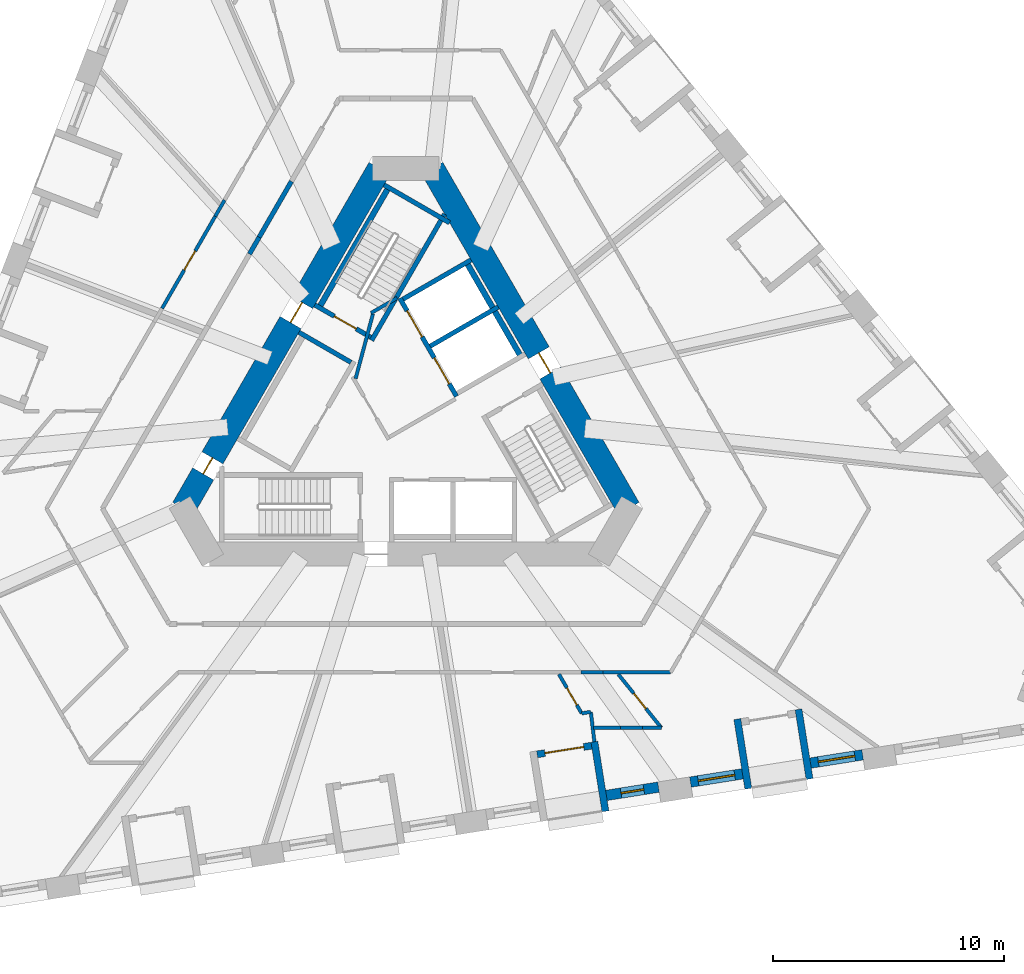
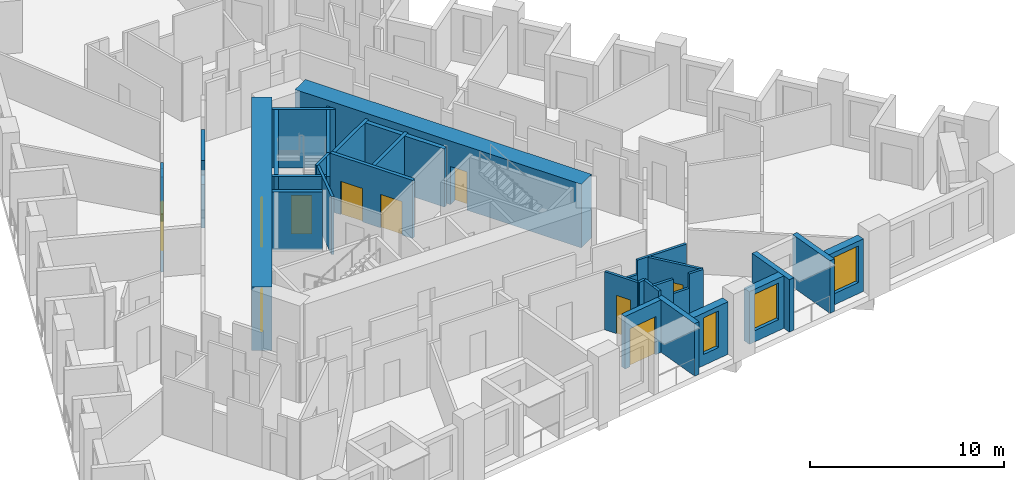
# One storey, part 5 of 13: 33 walls, 10 doors, 3 windows, 13 openings.
"""IFC4 building model written with IfcOpenShell, lengths in metres."""

import ifcopenshell
import ifcopenshell.guid

model = None  # the IFC model being written
_history = None  # IfcOwnerHistory: only IFC2X3 demands one
_inside = {}  # id of a spatial element -> (the spatial element, [elements in it])
_under = {}  # id of a project, library or spatial element -> (it, [spatial elements below it])
_declared = {}  # id of a project -> (the project, [libraries it declares])
_typed = {}  # id of a type object -> (the type object, [elements of that type])
_made_of = {}  # id of a material, layer set ... -> (it, [elements and type objects made of it])


def new_model(schema):
    """Start an empty IFC model of exactly this schema.

    Asked for "IFC4X3", IfcOpenShell would pick the latest addendum, in which some entities
    have other attributes; the version numbers below select the first issue.
    IFC2X3 requires an IfcOwnerHistory on every rooted entity: one is made here for all.
    """
    global model, _history
    if schema == "IFC4X3":
        model = ifcopenshell.file(schema_version=(4, 3, 0, 0))
    else:
        model = ifcopenshell.file(schema=schema)
    _inside.clear()
    _under.clear()
    _declared.clear()
    _typed.clear()
    _made_of.clear()
    _history = None
    if model.schema == "IFC2X3":
        org = make("IfcOrganization", Name="unknown")
        user = make(
            "IfcPersonAndOrganization",
            ThePerson=make("IfcPerson", FamilyName="unknown"),
            TheOrganization=org,
        )
        app = make(
            "IfcApplication",
            ApplicationDeveloper=org,
            Version="unknown",
            ApplicationFullName="unknown",
            ApplicationIdentifier="unknown",
        )
        _history = make(
            "IfcOwnerHistory",
            OwningUser=user,
            OwningApplication=app,
            ChangeAction="ADDED",
            CreationDate=0,
        )
    return model


def make(cls, **values):
    """One entity of the class cls with the attributes given. An attribute that is None is left unset."""
    return model.create_entity(
        cls, **{name: value for name, value in values.items() if value is not None}
    )


def rooted(cls, **values):
    """An entity with a GlobalId (a new one), such as an element, a storey or a relation."""
    return make(cls, GlobalId=ifcopenshell.guid.new(), OwnerHistory=_history, **values)


def si_unit(unit_type, name, prefix=None):
    """IfcSIUnit, for example si_unit("LENGTHUNIT", "METRE", prefix="MILLI")."""
    return make("IfcSIUnit", UnitType=unit_type, Prefix=prefix, Name=name)


def assignment(units):
    """IfcUnitAssignment: the units of a project."""
    return None if units is None else make("IfcUnitAssignment", Units=units)


def point(xyz):
    """IfcCartesianPoint."""
    return None if xyz is None else make("IfcCartesianPoint", Coordinates=xyz)


def direction(xyz):
    """IfcDirection."""
    return None if xyz is None else make("IfcDirection", DirectionRatios=xyz)


def frame(location, z_axis=None, x_axis=None):
    """IfcAxis2Placement3D, a coordinate frame: its origin and axes. An axis left out is left unset."""
    return make(
        "IfcAxis2Placement3D",
        Location=point(location),
        Axis=direction(z_axis),
        RefDirection=direction(x_axis),
    )


def frame_2d(location, x_axis=None):
    """IfcAxis2Placement2D, a coordinate frame in the plane: its origin and x axis."""
    return make(
        "IfcAxis2Placement2D", Location=point(location), RefDirection=direction(x_axis)
    )


def origin():
    """The frame at (0, 0, 0) with its axes left unset."""
    return frame((0.0, 0.0, 0.0))


def place(relative_to, where):
    """IfcLocalPlacement: puts the frame where relative to a parent placement (None: the world)."""
    return make(
        "IfcLocalPlacement", PlacementRelTo=relative_to, RelativePlacement=where
    )


def context(
    kind, dimensions, precision=None, world=None, true_north=None, identifier=None
):
    """IfcGeometricRepresentationContext, for example the 3D "Model" context."""
    return make(
        "IfcGeometricRepresentationContext",
        ContextIdentifier=identifier,
        ContextType=kind,
        CoordinateSpaceDimension=dimensions,
        Precision=precision,
        WorldCoordinateSystem=world,
        TrueNorth=true_north,
    )


def subcontext(parent, identifier, kind, view, scale=None):
    """IfcGeometricRepresentationSubContext, for example "Body" below "Model"."""
    return make(
        "IfcGeometricRepresentationSubContext",
        ContextIdentifier=identifier,
        ContextType=kind,
        ParentContext=parent,
        TargetScale=scale,
        TargetView=view,
    )


def project(units=None, contexts=None):
    """IfcProject with its units and contexts."""
    return rooted(
        "IfcProject",
        Name="project",
        RepresentationContexts=contexts,
        UnitsInContext=assignment(units),
    )


def spatial(cls, under=None, at=None, **own):
    """A site, building, storey or space (cls), placed at a placement, below another one or the project."""
    s = rooted(cls, ObjectPlacement=at, **own)
    if under is not None:
        _under.setdefault(under.id(), (under, []))[1].append(s)
    return s


def profile(cls, at=None, kind="AREA", **sizes):
    """A parametric profile (cls). Its sizes go by their IFC names, for example OverallWidth=200.0."""
    return make(cls, ProfileType=kind, Position=at, **sizes)


def rectangle(**sizes):
    """IfcRectangleProfileDef."""
    return profile("IfcRectangleProfileDef", **sizes)


def extrude(swept, where, along, depth):
    """IfcExtrudedAreaSolid: the profile swept, set in the frame where, extruded along a direction by depth."""
    return make(
        "IfcExtrudedAreaSolid",
        SweptArea=swept,
        Position=where,
        ExtrudedDirection=direction(along),
        Depth=depth,
    )


def shape(context_of_items, identifier, shape_type, items):
    """IfcShapeRepresentation: the items that make up one representation, for example the "Body"."""
    return make(
        "IfcShapeRepresentation",
        ContextOfItems=context_of_items,
        RepresentationIdentifier=identifier,
        RepresentationType=shape_type,
        Items=items,
    )


def material(Name=None, Category=None):
    """IfcMaterial."""
    return make("IfcMaterial", Name=Name, Category=Category)


def layer(
    of_material, thickness, ventilated=None, Name=None, Category=None, Priority=None
):
    """IfcMaterialLayer: one layer of a wall or slab, of a material (None: an air gap)."""
    return make(
        "IfcMaterialLayer",
        Material=of_material,
        LayerThickness=thickness,
        IsVentilated=ventilated,
        Name=Name,
        Category=Category,
        Priority=Priority,
    )


def layer_set(layers, Name=None):
    """IfcMaterialLayerSet."""
    return make("IfcMaterialLayerSet", MaterialLayers=layers, LayerSetName=Name)


def made_of(thing, what):
    """Note that an element or type object is made of a material, layer set ...; save() writes the relation."""
    if what is not None:
        _made_of.setdefault(what.id(), (what, []))[1].append(thing)
    return thing


def type_object(cls, material=None, **own):
    """A type object (cls), such as IfcWallType, which elements share."""
    return made_of(rooted(cls, **own), material)


def element(
    cls,
    number,
    at=None,
    inside=None,
    cuts=None,
    type_object=None,
    material=None,
    context=None,
    identifier="Body",
    shape_type=None,
    held_by="IfcProductDefinitionShape",
    body=None,
    shapes=None,
    **own,
):
    """One element of the class cls, such as IfcWall. Its Tag is "e" and its number.

    at: its placement. inside: the storey or other place that contains it. cuts: it is an
    opening in that element (IfcRelVoidsElement). A single representation is given by context,
    identifier, shape_type and body (its items); several are given by shapes. held_by: the class
    of the entity that holds the representations. save() writes the other relations.
    """
    e = rooted(cls, Tag="e%d" % number, ObjectPlacement=at, **own)
    if body is not None:
        shapes = [shape(context, identifier, shape_type, body)]
    if shapes is not None:
        e.Representation = make(held_by, Representations=shapes)
    if inside is not None:
        _inside.setdefault(inside.id(), (inside, []))[1].append(e)
    if cuts is not None:
        rooted(
            "IfcRelVoidsElement", RelatingBuildingElement=cuts, RelatedOpeningElement=e
        )
    if type_object is not None:
        _typed.setdefault(type_object.id(), (type_object, []))[1].append(e)
    return made_of(e, material)


def fill(opening, filler):
    """IfcRelFillsElement: the door or window that sits in an opening."""
    return rooted(
        "IfcRelFillsElement",
        RelatingOpeningElement=opening,
        RelatedBuildingElement=filler,
    )


def aggregate(whole, parts):
    """IfcRelAggregates: a whole, such as a stair, and the parts it consists of."""
    return rooted("IfcRelAggregates", RelatingObject=whole, RelatedObjects=parts)


def save(model, path):
    """Write the relations noted so far, then the file.

    IfcRelAggregates (storeys below a building ...), IfcRelContainedInSpatialStructure (elements
    in a storey), IfcRelDefinesByType, IfcRelAssociatesMaterial and IfcRelDeclares: one each for
    every whole, place, type object, material and project.
    """
    for whole, parts in _under.values():
        aggregate(whole, parts)
    for where, things in _inside.values():
        rooted(
            "IfcRelContainedInSpatialStructure",
            RelatedElements=things,
            RelatingStructure=where,
        )
    for kind, things in _typed.values():
        rooted("IfcRelDefinesByType", RelatedObjects=things, RelatingType=kind)
    for what, things in _made_of.values():
        rooted("IfcRelAssociatesMaterial", RelatedObjects=things, RelatingMaterial=what)
    for by, libraries in _declared.values():
        rooted("IfcRelDeclares", RelatingContext=by, RelatedDefinitions=libraries)
    model.write(path)


model = new_model("IFC4")

# Units and contexts
model_context = context("Model", 3, precision=1e-05, world=origin(), true_north=direction((0.0, 1.0)))
body_context = subcontext(model_context, "Body", "Model", "MODEL_VIEW")
ifc_project = project(units=[si_unit("LENGTHUNIT", "METRE"), si_unit("AREAUNIT", "SQUARE_METRE"), si_unit("VOLUMEUNIT", "CUBIC_METRE"), si_unit("PLANEANGLEUNIT", "RADIAN"), si_unit("MASSUNIT", "GRAM", prefix="KILO")], contexts=[model_context])

# Site, building, storey
site_placement = place(None, origin())
site = spatial("IfcSite", under=ifc_project, at=site_placement, CompositionType="ELEMENT")
building_placement = place(site_placement, origin())
building = spatial("IfcBuilding", under=site, at=building_placement, Name="Tramontana Tower", CompositionType="ELEMENT")
storey_placement = place(building_placement, frame((0.0, 0.0, 51.199951171875)))
storey = spatial("IfcBuildingStorey", under=building, at=storey_placement, Name="L10", CompositionType="ELEMENT", Elevation=51.199951171875)

# Wall, openings, doors
ifc_material_1 = material(Name="Concrete 70 MPa", Category="concrete")
ifc_layer_1 = layer(ifc_material_1, 1.050048828125)
ifc_layer_set_1 = layer_set([ifc_layer_1], Name="Core wall 1050 70 MPa")
wall_type_1 = type_object("IfcWallType", Name="Core wall 1050 70 MPa", PredefinedType="SHEAR", material=ifc_layer_set_1)
wall_1_placement = place(storey_placement, frame((-1.140380859375, 10.47509765625, 0.0), z_axis=(0.0, 0.0, 1.0), x_axis=(-0.499985955615, -0.866033512162, 0.0)))
wall_1 = element("IfcWall", 1, at=wall_1_placement, inside=storey, type_object=wall_type_1, Name="Core wall C1 L10", PredefinedType="SHEAR", context=body_context, shape_type="SweptSolid", body=[
    extrude(rectangle(XDim=17.0029296875, YDim=1.050048828125, at=frame_2d((8.50146484375, 0.0))), origin(), (0.0, 0.0, 1.0), 4.0),
])
opening_1_placement = place(wall_1_placement, frame((6.70654296875, 0.0, 0.0)))
opening_1 = element("IfcOpeningElement", 2, at=opening_1_placement, cuts=wall_1, Name="Opening RG1", PredefinedType="OPENING", context=body_context, shape_type="SweptSolid", body=[
    extrude(rectangle(XDim=1.0, YDim=2.39990234375, at=frame_2d((0.5, 1.199951171875))), frame((0.0, 0.534912109375, 0.0), z_axis=(0.0, -1.0, 0.0), x_axis=(1.0, 0.0, 0.0)), (0.0, 0.0, 1.0), 1.070068359375),
])
opening_2_placement = place(wall_1_placement, frame((14.472412109375, 0.0, 0.0)))
opening_2 = element("IfcOpeningElement", 3, at=opening_2_placement, cuts=wall_1, Name="Opening PD1", PredefinedType="OPENING", context=body_context, shape_type="SweptSolid", body=[
    extrude(rectangle(XDim=0.800048828125, YDim=2.10009765625, at=frame_2d((0.39990234375, 1.050048828125))), frame((0.0, 0.534912109375, 0.0), z_axis=(0.0, -1.0, 0.0), x_axis=(1.0, 0.0, 0.0)), (0.0, 0.0, 1.0), 1.070068359375),
])
ifc_material_2 = material(Name="Painted steel", Category="steel")
door_type_1 = type_object("IfcDoorType", Name="CUPBOARD DOOR 800", OperationType="SINGLE_SWING_LEFT", PredefinedType="DOOR", material=ifc_material_2)
door_1_placement = place(opening_2_placement, origin())
door_1 = element("IfcDoor", 4, at=door_1_placement, inside=storey, type_object=door_type_1, Name="Door PD1", OperationType="SINGLE_SWING_RIGHT", OverallHeight=2.10009765625, OverallWidth=0.800048828125, PredefinedType="DOOR", context=body_context, shape_type="SweptSolid", body=[
    extrude(rectangle(XDim=0.800048828125, YDim=2.10009765625, at=frame_2d((0.39990234375, 1.050048828125))), frame((0.0, 0.02490234375, 0.0), z_axis=(0.0, -1.0, 0.0), x_axis=(1.0, 0.0, 0.0)), (0.0, 0.0, 1.0), 0.050048828125),
])
fill(opening_2, door_1)
ifc_material_3 = material(Name="Painted steel", Category="steel")
door_type_2 = type_object("IfcDoorType", Name="RING DOOR 1000", OperationType="SINGLE_SWING_LEFT", PredefinedType="DOOR", material=ifc_material_3)
door_2_placement = place(opening_1_placement, origin())
door_2 = element("IfcDoor", 5, at=door_2_placement, inside=storey, type_object=door_type_2, Name="Door RG1", OperationType="SINGLE_SWING_LEFT", OverallHeight=2.39990234375, OverallWidth=1.0, PredefinedType="DOOR", context=body_context, shape_type="SweptSolid", body=[
    extrude(rectangle(XDim=1.0, YDim=2.39990234375, at=frame_2d((0.5, 1.199951171875))), frame((0.0, 0.02490234375, 0.0), z_axis=(0.0, -1.0, 0.0), x_axis=(1.0, 0.0, 0.0)), (0.0, 0.0, 1.0), 0.050048828125),
])
fill(opening_1, door_2)

# Wall, opening, door
wall_2_placement = place(storey_placement, frame((9.6416015625, -4.25, 0.0), z_axis=(0.0, 0.0, 1.0), x_axis=(-0.499985955615, 0.866033512162, 0.0)))
wall_2 = element("IfcWall", 6, at=wall_2_placement, inside=storey, type_object=wall_type_1, Name="Core wall C5 L10", PredefinedType="SHEAR", context=body_context, shape_type="SweptSolid", body=[
    extrude(rectangle(XDim=17.0029296875, YDim=1.050048828125, at=frame_2d((8.50146484375, 0.0))), origin(), (0.0, 0.0, 1.0), 4.0),
])
opening_3_placement = place(wall_2_placement, frame((6.7763671875, 0.0, 0.0)))
opening_3 = element("IfcOpeningElement", 7, at=opening_3_placement, cuts=wall_2, Name="Opening RG3", PredefinedType="OPENING", context=body_context, shape_type="SweptSolid", body=[
    extrude(rectangle(XDim=1.0, YDim=2.39990234375, at=frame_2d((0.5, 1.199951171875))), frame((0.0, 0.534912109375, 0.0), z_axis=(0.0, -1.0, 0.0), x_axis=(1.0, 0.0, 0.0)), (0.0, 0.0, 1.0), 1.070068359375),
])
door_3_placement = place(opening_3_placement, origin())
door_3 = element("IfcDoor", 8, at=door_3_placement, inside=storey, type_object=door_type_2, Name="Door RG3", OperationType="SINGLE_SWING_LEFT", OverallHeight=2.39990234375, OverallWidth=1.0, PredefinedType="DOOR", context=body_context, shape_type="SweptSolid", body=[
    extrude(rectangle(XDim=1.0, YDim=2.39990234375, at=frame_2d((0.5, 1.199951171875))), frame((0.0, 0.02490234375, 0.0), z_axis=(0.0, -1.0, 0.0), x_axis=(1.0, 0.0, 0.0)), (0.0, 0.0, 1.0), 0.050048828125),
])
fill(opening_3, door_3)

# Walls
ifc_material_4 = material(Name="Blockwork", Category="masonry")
ifc_layer_2 = layer(ifc_material_4, 0.199951171875)
ifc_layer_set_2 = layer_set([ifc_layer_2], Name="ENTRY WALL 200")
wall_type_2 = type_object("IfcWallType", Name="ENTRY WALL 200", PredefinedType="SOLIDWALL", material=ifc_layer_set_2)
wall_3_placement = place(storey_placement, frame((-6.7734375, 6.76806640625, 0.0), z_axis=(0.0, 0.0, 1.0), x_axis=(0.500117447933, 0.865957584569, 0.0)))
element("IfcWall", 9, at=wall_3_placement, inside=storey, type_object=wall_type_2, Name="Wall v10-ew4-5", PredefinedType="SOLIDWALL", context=body_context, shape_type="SweptSolid", body=[
    extrude(rectangle(XDim=0.838134765625, YDim=0.199951171875, at=frame_2d((0.4189453125, 0.0))), origin(), (0.0, 0.0, 1.0), 2.75),
])
wall_4_placement = place(storey_placement, frame((-6.354248046875, 7.493896484375, 0.0), z_axis=(0.0, 0.0, 1.0), x_axis=(0.499964529649, 0.866045881633, 0.0)))
element("IfcWall", 10, at=wall_4_placement, inside=storey, type_object=wall_type_2, Name="Wall v10-ew4-6", PredefinedType="SOLIDWALL", context=body_context, shape_type="SweptSolid", body=[
    extrude(rectangle(XDim=2.793701171875, YDim=0.199951171875, at=frame_2d((1.39697265625, 0.0))), origin(), (0.0, 0.0, 1.0), 3.650146484375),
])

# Wall, opening, window
ifc_material_5 = material(Name="Precast concrete 60 MPa", Category="concrete")
ifc_layer_3 = layer(ifc_material_5, 0.449951171875)
ifc_layer_set_3 = layer_set([ifc_layer_3], Name="Precast concrete 60 MPa, 450 mm")
wall_type_3 = type_object("IfcWallType", Name="EW1 Stone-faced precast wall 450", PredefinedType="SOLIDWALL", material=ifc_layer_set_3)
wall_5_placement = place(storey_placement, frame((8.680908203125, -16.67236328125, 0.0), z_axis=(0.0, 0.0, 1.0), x_axis=(0.987685675151, 0.156451293065, 0.0)))
wall_5 = element("IfcWall", 11, at=wall_5_placement, inside=storey, type_object=wall_type_3, Name="External wall L10 face 1 bay 4", PredefinedType="SOLIDWALL", context=body_context, shape_type="SweptSolid", body=[
    extrude(rectangle(XDim=2.282958984375, YDim=0.449951171875, at=frame_2d((1.1416015625, 0.0))), origin(), (0.0, 0.0, 1.0), 3.300048828125),
])
opening_4_placement = place(wall_5_placement, frame((0.6416015625, 0.0, 0.699951171875)))
opening_4 = element("IfcOpeningElement", 12, at=opening_4_placement, cuts=wall_5, Name="Opening N1", PredefinedType="OPENING", context=body_context, shape_type="SweptSolid", body=[
    extrude(rectangle(XDim=1.0, YDim=2.300048828125, at=frame_2d((0.5, 1.14990234375))), frame((0.0, 0.23486328125, 0.0), z_axis=(0.0, -1.0, 0.0), x_axis=(1.0, 0.0, 0.0)), (0.0, 0.0, 1.0), 0.469970703125),
])
ifc_material_6 = material(Name="Aluminum frame, double glazing unit", Category="aluminium")
window_type_1 = type_object("IfcWindowType", Name="N1 Window 1 x 2.3", PartitioningType="SINGLE_PANEL", PredefinedType="WINDOW", material=ifc_material_6)
window_1_placement = place(opening_4_placement, origin())
window_1 = element("IfcWindow", 13, at=window_1_placement, inside=storey, type_object=window_type_1, Name="Window N1 L10 face 1 module 12", OverallHeight=2.300048828125, OverallWidth=1.0, PartitioningType="SINGLE_PANEL", PredefinedType="WINDOW", context=body_context, shape_type="SweptSolid", body=[
    extrude(rectangle(XDim=1.0, YDim=2.300048828125, at=frame_2d((0.5, 1.14990234375))), frame((0.0, 0.030029296875, 0.0), z_axis=(0.0, -1.0, 0.0), x_axis=(1.0, 0.0, 0.0)), (0.0, 0.0, 1.0), 0.06005859375),
])
fill(opening_4, window_1)

wall_6_placement = place(storey_placement, frame((12.318603515625, -16.09619140625, 0.0), z_axis=(0.0, 0.0, 1.0), x_axis=(0.987685675151, 0.156451293065, 0.0)))
wall_6 = element("IfcWall", 14, at=wall_6_placement, inside=storey, type_object=wall_type_3, Name="External wall L10 face 1 bay 5", PredefinedType="SOLIDWALL", context=body_context, shape_type="SweptSolid", body=[
    extrude(rectangle(XDim=2.282958984375, YDim=0.449951171875, at=frame_2d((1.1416015625, 0.0))), origin(), (0.0, 0.0, 1.0), 3.300048828125),
])
opening_5_placement = place(wall_6_placement, frame((0.341552734375, 0.0, 0.699951171875)))
opening_5 = element("IfcOpeningElement", 15, at=opening_5_placement, cuts=wall_6, Name="Opening M1", PredefinedType="OPENING", context=body_context, shape_type="SweptSolid", body=[
    extrude(rectangle(XDim=1.60009765625, YDim=2.300048828125, at=frame_2d((0.800048828125, 1.14990234375))), frame((0.0, 0.23486328125, 0.0), z_axis=(0.0, -1.0, 0.0), x_axis=(1.0, 0.0, 0.0)), (0.0, 0.0, 1.0), 0.469970703125),
])
ifc_material_7 = material(Name="Aluminum frame, double glazing unit", Category="aluminium")
window_type_2 = type_object("IfcWindowType", Name="M1 Window 1.6 x 2.3", PartitioningType="SINGLE_PANEL", PredefinedType="WINDOW", material=ifc_material_7)
window_2_placement = place(opening_5_placement, origin())
window_2 = element("IfcWindow", 16, at=window_2_placement, inside=storey, type_object=window_type_2, Name="Window M1 L10 face 1 module 13", OverallHeight=2.300048828125, OverallWidth=1.60009765625, PartitioningType="SINGLE_PANEL", PredefinedType="WINDOW", context=body_context, shape_type="SweptSolid", body=[
    extrude(rectangle(XDim=1.60009765625, YDim=2.300048828125, at=frame_2d((0.800048828125, 1.14990234375))), frame((0.0, 0.030029296875, 0.0), z_axis=(0.0, -1.0, 0.0), x_axis=(1.0, 0.0, 0.0)), (0.0, 0.0, 1.0), 0.06005859375),
])
fill(opening_5, window_2)

wall_7_placement = place(storey_placement, frame((17.519775390625, -15.2724609375, 0.0), z_axis=(0.0, 0.0, 1.0), x_axis=(0.987685675151, 0.156451293065, 0.0)))
wall_7 = element("IfcWall", 17, at=wall_7_placement, inside=storey, type_object=wall_type_3, Name="External wall L10 face 1 bay 5", PredefinedType="SOLIDWALL", context=body_context, shape_type="SweptSolid", body=[
    extrude(rectangle(XDim=2.282958984375, YDim=0.449951171875, at=frame_2d((1.1416015625, 0.0))), origin(), (0.0, 0.0, 1.0), 3.300048828125),
])
opening_6_placement = place(wall_7_placement, frame((0.341552734375, 0.0, 0.699951171875)))
opening_6 = element("IfcOpeningElement", 18, at=opening_6_placement, cuts=wall_7, Name="Opening M1", PredefinedType="OPENING", context=body_context, shape_type="SweptSolid", body=[
    extrude(rectangle(XDim=1.60009765625, YDim=2.300048828125, at=frame_2d((0.800048828125, 1.14990234375))), frame((0.0, 0.23486328125, 0.0), z_axis=(0.0, -1.0, 0.0), x_axis=(1.0, 0.0, 0.0)), (0.0, 0.0, 1.0), 0.469970703125),
])
window_3_placement = place(opening_6_placement, origin())
window_3 = element("IfcWindow", 19, at=window_3_placement, inside=storey, type_object=window_type_2, Name="Window M1 L10 face 1 module 15", OverallHeight=2.300048828125, OverallWidth=1.60009765625, PartitioningType="SINGLE_PANEL", PredefinedType="WINDOW", context=body_context, shape_type="SweptSolid", body=[
    extrude(rectangle(XDim=1.60009765625, YDim=2.300048828125, at=frame_2d((0.800048828125, 1.14990234375))), frame((0.0, 0.030029296875, 0.0), z_axis=(0.0, -1.0, 0.0), x_axis=(1.0, 0.0, 0.0)), (0.0, 0.0, 1.0), 0.06005859375),
])
fill(opening_6, window_3)

# Wall, opening, door
ifc_material_8 = material(Name="Precast concrete 60 MPa", Category="concrete")
ifc_layer_4 = layer(ifc_material_8, 0.300048828125)
ifc_layer_set_4 = layer_set([ifc_layer_4], Name="LW1 Stone-faced loggia wall 300")
wall_type_4 = type_object("IfcWallType", Name="LW1 Stone-faced loggia wall 300", PredefinedType="SOLIDWALL", material=ifc_layer_set_4)
wall_8_placement = place(storey_placement, frame((5.682861328125, -14.894287109375, 0.0), z_axis=(0.0, 0.0, 1.0), x_axis=(0.987688093492, 0.15643602518, 0.0)))
wall_8 = element("IfcWall", 20, at=wall_8_placement, inside=storey, type_object=wall_type_4, Name="Loggia wall L10 G1S1.10", PredefinedType="SOLIDWALL", context=body_context, shape_type="SweptSolid", body=[
    extrude(rectangle(XDim=2.383056640625, YDim=0.300048828125, at=frame_2d((1.19140625, 0.0))), origin(), (0.0, 0.0, 1.0), 3.300048828125),
])
opening_7_placement = place(wall_8_placement, frame((0.341552734375, 0.0, 0.0)))
opening_7 = element("IfcOpeningElement", 21, at=opening_7_placement, cuts=wall_8, Name="Opening BD-1S1-10", PredefinedType="OPENING", context=body_context, shape_type="SweptSolid", body=[
    extrude(rectangle(XDim=1.699951171875, YDim=2.39990234375, at=frame_2d((0.85009765625, 1.199951171875))), frame((0.0, 0.159912109375, 0.0), z_axis=(0.0, -1.0, 0.0), x_axis=(1.0, 0.0, 0.0)), (0.0, 0.0, 1.0), 0.320068359375),
])
ifc_material_9 = material(Name="Aluminum frame, double glazing unit", Category="aluminium")
door_type_3 = type_object("IfcDoorType", Name="BD1 Sliding door 1.7 x 2.4", OperationType="SLIDING_TO_LEFT", PredefinedType="DOOR", material=ifc_material_9)
door_4_placement = place(opening_7_placement, origin())
door_4 = element("IfcDoor", 22, at=door_4_placement, inside=storey, type_object=door_type_3, Name="Loggia door L10 G1S1.10", OperationType="SLIDING_TO_LEFT", OverallHeight=2.39990234375, OverallWidth=1.699951171875, PredefinedType="DOOR", context=body_context, shape_type="SweptSolid", body=[
    extrude(rectangle(XDim=1.699951171875, YDim=2.39990234375, at=frame_2d((0.85009765625, 1.199951171875))), frame((0.0, 0.02490234375, 0.0), z_axis=(0.0, -1.0, 0.0), x_axis=(1.0, 0.0, 0.0)), (0.0, 0.0, 1.0), 0.050048828125),
])
fill(opening_7, door_4)

# Walls
for number, where, z_axis, x_axis, name in (
    (23, (8.638427734375, -17.3623046875, 0.0), (0.0, 0.0, 1.0), (-0.156410600741, 0.987692120033, 0.0), "Loggia return L10 G1S1.10b"),
    (24, (14.8271484375, -16.38232421875, 0.0), (0.0, 0.0, 1.0), (-0.156410600741, 0.987692120033, 0.0), "Loggia return L10 G1S1.13a"),
    (25, (17.47705078125, -15.96240234375, 0.0), (0.0, 0.0, 1.0), (-0.156410600741, 0.987692120033, 0.0), "Loggia return L10 G1S1.13b"),
):
    element("IfcWall", number, at=place(storey_placement, frame(where, z_axis=z_axis, x_axis=x_axis)), inside=storey, type_object=wall_type_4, Name=name, PredefinedType="SOLIDWALL", context=body_context, shape_type="SweptSolid", body=[
        extrude(rectangle(XDim=3.050048828125, YDim=0.300048828125, at=frame_2d((1.52490234375, 0.0))), origin(), (0.0, 0.0, 1.0), 3.300048828125),
    ])
ifc_material_10 = material(Name="Gypsum board partition")
ifc_layer_5 = layer(ifc_material_10, 0.14990234375)
ifc_layer_set_5 = layer_set([ifc_layer_5], Name="PARTITION 150")
wall_type_5 = type_object("IfcWallType", Name="PARTITION 150", PredefinedType="PARTITIONING", material=ifc_layer_set_5)
wall_9_placement = place(storey_placement, frame((-2.177978515625, 1.372314453125, 0.0), z_axis=(0.0, 0.0, 1.0), x_axis=(0.258808958833, 0.96592852884, 0.0)))
element("IfcWall", 26, at=wall_9_placement, inside=storey, type_object=wall_type_5, Name="Wall ff-diag", PredefinedType="PARTITIONING", context=body_context, shape_type="SweptSolid", body=[
    extrude(rectangle(XDim=2.902587890625, YDim=0.14990234375, at=frame_2d((1.451171875, 0.0))), origin(), (0.0, 0.0, 1.0), 3.650146484375),
])
wall_10_placement = place(storey_placement, frame((-1.509765625, 4.21484375, 0.0), z_axis=(0.0, 0.0, 1.0), x_axis=(0.866085525409, 0.49989585183, 0.0)))
element("IfcWall", 27, at=wall_10_placement, inside=storey, type_object=wall_type_5, Name="Wall ff-end1", PredefinedType="PARTITIONING", context=body_context, shape_type="SweptSolid", body=[
    extrude(rectangle(XDim=1.300048828125, YDim=0.14990234375, at=frame_2d((0.64990234375, 0.0))), origin(), (0.0, 0.0, 1.0), 3.650146484375),
])
wall_11_placement = place(storey_placement, frame((-7.85107421875, 9.1015625, 0.0), z_axis=(0.0, 0.0, 1.0), x_axis=(-0.500052144805, -0.865995295874, 0.0)))
element("IfcWall", 28, at=wall_11_placement, inside=storey, type_object=wall_type_5, Name="Wall v10-pw16-3", PredefinedType="PARTITIONING", context=body_context, shape_type="SweptSolid", body=[
    extrude(rectangle(XDim=0.81201171875, YDim=0.14990234375, at=frame_2d((0.406005859375, 0.0))), origin(), (0.0, 0.0, 1.0), 2.75),
])

# Wall, opening, door
wall_12_placement = place(storey_placement, frame((-10.557373046875, 4.4140625, 0.0), z_axis=(0.0, 0.0, 1.0), x_axis=(0.499985815721, 0.866033592927, 0.0)))
wall_12 = element("IfcWall", 29, at=wall_12_placement, inside=storey, type_object=wall_type_5, Name="Wall v10-pw16-4", PredefinedType="PARTITIONING", context=body_context, shape_type="SweptSolid", body=[
    extrude(rectangle(XDim=4.600830078125, YDim=0.14990234375, at=frame_2d((2.30029296875, 0.0))), origin(), (0.0, 0.0, 1.0), 3.650146484375),
])
opening_8_placement = place(wall_12_placement, frame((1.92236328125, 0.0, 0.0)))
opening_8 = element("IfcOpeningElement", 30, at=opening_8_placement, cuts=wall_12, Name="Opening B1A-07", PredefinedType="OPENING", context=body_context, shape_type="SweptSolid", body=[
    extrude(rectangle(XDim=0.949951171875, YDim=2.39990234375, at=frame_2d((0.47509765625, 1.199951171875))), frame((0.0, 0.0849609375, 0.0), z_axis=(0.0, -1.0, 0.0), x_axis=(1.0, 0.0, 0.0)), (0.0, 0.0, 1.0), 0.169921875),
])
ifc_material_11 = material(Name="Painted timber", Category="wood")
door_type_4 = type_object("IfcDoorType", Name="DOOR ROOM 950", OperationType="SINGLE_SWING_LEFT", PredefinedType="DOOR", material=ifc_material_11)
door_5_placement = place(opening_8_placement, origin())
door_5 = element("IfcDoor", 31, at=door_5_placement, inside=storey, type_object=door_type_4, Name="Door B1A-07", OperationType="SINGLE_SWING_LEFT", OverallHeight=2.39990234375, OverallWidth=0.949951171875, PredefinedType="DOOR", context=body_context, shape_type="SweptSolid", body=[
    extrude(rectangle(XDim=0.949951171875, YDim=2.39990234375, at=frame_2d((0.47509765625, 1.199951171875))), frame((0.0, 0.02490234375, 0.0), z_axis=(0.0, -1.0, 0.0), x_axis=(1.0, 0.0, 0.0)), (0.0, 0.0, 1.0), 0.050048828125),
])
fill(opening_8, door_5)

wall_13_placement = place(storey_placement, frame((6.62646484375, -11.425048828125, 0.0), z_axis=(0.0, 0.0, 1.0), x_axis=(0.501747909074, -0.86501389338, 0.0)))
wall_13 = element("IfcWall", 32, at=wall_13_placement, inside=storey, type_object=wall_type_5, Name="Wall v10-pw28", PredefinedType="PARTITIONING", context=body_context, shape_type="SweptSolid", body=[
    extrude(rectangle(XDim=1.96044921875, YDim=0.14990234375, at=frame_2d((0.980224609375, 0.0))), origin(), (0.0, 0.0, 1.0), 3.650146484375),
])
opening_9_placement = place(wall_13_placement, frame((0.6904296875, 0.0, 0.0)))
opening_9 = element("IfcOpeningElement", 33, at=opening_9_placement, cuts=wall_13, Name="Opening B1A-26", PredefinedType="OPENING", context=body_context, shape_type="SweptSolid", body=[
    extrude(rectangle(XDim=0.85009765625, YDim=2.39990234375, at=frame_2d((0.425048828125, 1.199951171875))), frame((0.0, 0.0849609375, 0.0), z_axis=(0.0, -1.0, 0.0), x_axis=(1.0, 0.0, 0.0)), (0.0, 0.0, 1.0), 0.169921875),
])
ifc_material_12 = material(Name="Painted timber", Category="wood")
door_type_5 = type_object("IfcDoorType", Name="DOOR BATH 850", OperationType="SINGLE_SWING_LEFT", PredefinedType="DOOR", material=ifc_material_12)
door_6_placement = place(opening_9_placement, origin())
door_6 = element("IfcDoor", 34, at=door_6_placement, inside=storey, type_object=door_type_5, Name="Door B1A-26", OperationType="SINGLE_SWING_RIGHT", OverallHeight=2.39990234375, OverallWidth=0.85009765625, PredefinedType="DOOR", context=body_context, shape_type="SweptSolid", body=[
    extrude(rectangle(XDim=0.85009765625, YDim=2.39990234375, at=frame_2d((0.425048828125, 1.199951171875))), frame((0.0, 0.02490234375, 0.0), z_axis=(0.0, -1.0, 0.0), x_axis=(1.0, 0.0, 0.0)), (0.0, 0.0, 1.0), 0.050048828125),
])
fill(opening_9, door_6)

# Walls
wall_14_placement = place(storey_placement, frame((8.00537109375, -13.058349609375, 0.0), z_axis=(0.0, 0.0, 1.0), x_axis=(-0.987713419374, -0.156276041632, 0.0)))
element("IfcWall", 35, at=wall_14_placement, inside=storey, type_object=wall_type_5, Name="Wall v10-pw29", PredefinedType="PARTITIONING", context=body_context, shape_type="SweptSolid", body=[
    extrude(rectangle(XDim=0.39990234375, YDim=0.14990234375, at=frame_2d((0.199951171875, 0.0))), origin(), (0.0, 0.0, 1.0), 3.650146484375),
])
wall_15_placement = place(storey_placement, frame((8.161376953125, -14.349853515625, 0.0), z_axis=(0.0, 0.0, 1.0), x_axis=(-0.118226127794, 0.992986698152, 0.0)))
element("IfcWall", 36, at=wall_15_placement, inside=storey, type_object=wall_type_5, Name="Wall v10-pw30", PredefinedType="PARTITIONING", context=body_context, shape_type="SweptSolid", body=[
    extrude(rectangle(XDim=1.298828125, YDim=0.14990234375, at=frame_2d((0.6494140625, 0.0))), origin(), (0.0, 0.0, 1.0), 3.650146484375),
])

# Wall, opening, door
wall_16_placement = place(storey_placement, frame((11.0625, -13.7451171875, 0.0), z_axis=(0.0, 0.0, 1.0), x_axis=(-0.626992412451, 0.779025362057, 0.0)))
wall_16 = element("IfcWall", 37, at=wall_16_placement, inside=storey, type_object=wall_type_5, Name="Wall v10-pw32", PredefinedType="PARTITIONING", context=body_context, shape_type="SweptSolid", body=[
    extrude(rectangle(XDim=2.977294921875, YDim=0.14990234375, at=frame_2d((1.48876953125, 0.0))), origin(), (0.0, 0.0, 1.0), 3.650146484375),
])
opening_10_placement = place(wall_16_placement, frame((1.0634765625, 0.0, 0.0)))
opening_10 = element("IfcOpeningElement", 38, at=opening_10_placement, cuts=wall_16, Name="Opening B1A-25", PredefinedType="OPENING", context=body_context, shape_type="SweptSolid", body=[
    extrude(rectangle(XDim=0.85009765625, YDim=2.39990234375, at=frame_2d((0.425048828125, 1.199951171875))), frame((0.0, 0.0849609375, 0.0), z_axis=(0.0, -1.0, 0.0), x_axis=(1.0, 0.0, 0.0)), (0.0, 0.0, 1.0), 0.169921875),
])
door_7_placement = place(opening_10_placement, origin())
door_7 = element("IfcDoor", 39, at=door_7_placement, inside=storey, type_object=door_type_5, Name="Door B1A-25", OperationType="SINGLE_SWING_LEFT", OverallHeight=2.39990234375, OverallWidth=0.85009765625, PredefinedType="DOOR", context=body_context, shape_type="SweptSolid", body=[
    extrude(rectangle(XDim=0.85009765625, YDim=2.39990234375, at=frame_2d((0.425048828125, 1.199951171875))), frame((0.0, 0.02490234375, 0.0), z_axis=(0.0, -1.0, 0.0), x_axis=(1.0, 0.0, 0.0)), (0.0, 0.0, 1.0), 0.050048828125),
])
fill(opening_10, door_7)

# Walls
wall_17_placement = place(storey_placement, frame((11.060546875, -13.75, 0.0), z_axis=(0.0, 0.0, 1.0), x_axis=(-1.0, 0.0, 0.0)))
element("IfcWall", 40, at=wall_17_placement, inside=storey, type_object=wall_type_5, Name="Wall v10-pw34-0", PredefinedType="PARTITIONING", context=body_context, shape_type="SweptSolid", body=[
    extrude(rectangle(XDim=0.823974609375, YDim=0.14990234375, at=frame_2d((0.412109375, 0.0))), origin(), (0.0, 0.0, 1.0), 3.650146484375),
])
wall_18_placement = place(storey_placement, frame((10.236572265625, -13.75, 0.0), z_axis=(0.0, 0.0, 1.0), x_axis=(-1.0, 0.0, 0.0)))
element("IfcWall", 41, at=wall_18_placement, inside=storey, type_object=wall_type_5, Name="Wall v10-pw34-1", PredefinedType="PARTITIONING", context=body_context, shape_type="SweptSolid", body=[
    extrude(rectangle(XDim=0.950439453125, YDim=0.14990234375, at=frame_2d((0.47509765625, 0.0))), origin(), (0.0, 0.0, 1.0), 2.75),
])
wall_19_placement = place(storey_placement, frame((9.2861328125, -13.75, 0.0), z_axis=(0.0, 0.0, 1.0), x_axis=(-1.0, 0.0, 0.0)))
element("IfcWall", 42, at=wall_19_placement, inside=storey, type_object=wall_type_5, Name="Wall v10-pw34-2", PredefinedType="PARTITIONING", context=body_context, shape_type="SweptSolid", body=[
    extrude(rectangle(XDim=1.1689453125, YDim=0.14990234375, at=frame_2d((0.58447265625, 0.0))), origin(), (0.0, 0.0, 1.0), 3.650146484375),
])
wall_20_placement = place(storey_placement, frame((11.46044921875, -11.35009765625, 0.0), z_axis=(0.0, 0.0, 1.0), x_axis=(-1.0, 0.0, 0.0)))
element("IfcWall", 43, at=wall_20_placement, inside=storey, type_object=wall_type_5, Name="Wall v10-pw35-0", PredefinedType="PARTITIONING", context=body_context, shape_type="SweptSolid", body=[
    extrude(rectangle(XDim=2.927734375, YDim=0.14990234375, at=frame_2d((1.4638671875, 0.0))), origin(), (0.0, 0.0, 1.0), 3.650146484375),
])
wall_21_placement = place(storey_placement, frame((8.53271484375, -11.35009765625, 0.0), z_axis=(0.0, 0.0, 1.0), x_axis=(-1.0, 0.0, 0.0)))
element("IfcWall", 44, at=wall_21_placement, inside=storey, type_object=wall_type_5, Name="Wall v10-pw35-1", PredefinedType="PARTITIONING", context=body_context, shape_type="SweptSolid", body=[
    extrude(rectangle(XDim=0.950439453125, YDim=0.14990234375, at=frame_2d((0.47509765625, 0.0))), origin(), (0.0, 0.0, 1.0), 2.75),
])
ifc_material_13 = material(Name="Concrete 70 MPa", Category="concrete")
ifc_layer_6 = layer(ifc_material_13, 0.25)
ifc_layer_set_6 = layer_set([ifc_layer_6], Name="Concrete 70 MPa, 250 mm")
wall_type_6 = type_object("IfcWallType", Name="RC SHAFT BACK WALL 250", PredefinedType="SOLIDWALL", material=ifc_layer_set_6)
wall_22_placement = place(storey_placement, frame((-0.701416015625, 9.73486328125, 0.0), z_axis=(0.0, 0.0, 1.0), x_axis=(-0.500026960575, -0.86600983753, 0.0)))
element("IfcWall", 45, at=wall_22_placement, inside=storey, type_object=wall_type_6, Name="Wall st1-back", PredefinedType="SOLIDWALL", context=body_context, shape_type="SweptSolid", body=[
    extrude(rectangle(XDim=6.199951171875, YDim=0.25, at=frame_2d((3.10009765625, 0.0))), origin(), (0.0, 0.0, 1.0), 3.650146484375),
])
wall_23_placement = place(storey_placement, frame((5.0263671875, 2.243896484375, 0.0), z_axis=(0.0, 0.0, 1.0), x_axis=(-0.500002801628, 0.866023786258, 0.0)))
element("IfcWall", 46, at=wall_23_placement, inside=storey, type_object=wall_type_6, Name="Wall row2-back", PredefinedType="SOLIDWALL", context=body_context, shape_type="SweptSolid", body=[
    extrude(rectangle(XDim=4.89990234375, YDim=0.25, at=frame_2d((2.449951171875, 0.0))), origin(), (0.0, 0.0, 1.0), 3.650146484375),
])
ifc_material_14 = material(Name="Concrete 70 MPa", Category="concrete")
ifc_layer_7 = layer(ifc_material_14, 0.199951171875)
ifc_layer_set_7 = layer_set([ifc_layer_7], Name="Concrete 70 MPa, 200 mm")
wall_type_7 = type_object("IfcWallType", Name="RC STAIR AND SHAFT WALL 200", PredefinedType="SOLIDWALL", material=ifc_layer_set_7)
wall_24_placement = place(storey_placement, frame((1.67431640625, 8.5, 0.0), z_axis=(0.0, 0.0, 1.0), x_axis=(-0.499995607161, -0.866027939976, 0.0)))
element("IfcWall", 47, at=wall_24_placement, inside=storey, type_object=wall_type_7, Name="Wall st1-front", PredefinedType="SOLIDWALL", context=body_context, shape_type="SweptSolid", body=[
    extrude(rectangle(XDim=6.318359375, YDim=0.199951171875, at=frame_2d((3.1591796875, 0.0))), origin(), (0.0, 0.0, 1.0), 3.650146484375),
])
wall_25_placement = place(storey_placement, frame((1.892578125, 8.121826171875, 0.0), z_axis=(0.0, 0.0, 1.0), x_axis=(-0.866006986733, 0.500031897912, 0.0)))
element("IfcWall", 48, at=wall_25_placement, inside=storey, type_object=wall_type_7, Name="Wall st1-far", PredefinedType="SOLIDWALL", context=body_context, shape_type="SweptSolid", body=[
    extrude(rectangle(XDim=3.278076171875, YDim=0.199951171875, at=frame_2d((1.63916015625, 0.0))), origin(), (0.0, 0.0, 1.0), 3.650146484375),
])

# Wall, opening, door
wall_26_placement = place(storey_placement, frame((-1.521484375, 3.164794921875, 0.0), z_axis=(0.0, 0.0, 1.0), x_axis=(-0.866034573852, 0.49998411664, 0.0)))
wall_26 = element("IfcWall", 49, at=wall_26_placement, inside=storey, type_object=wall_type_7, Name="Wall st1-near", PredefinedType="SOLIDWALL", context=body_context, shape_type="SweptSolid", body=[
    extrude(rectangle(XDim=2.7998046875, YDim=0.199951171875, at=frame_2d((1.39990234375, 0.0))), origin(), (0.0, 0.0, 1.0), 3.650146484375),
])
opening_11_placement = place(wall_26_placement, frame((0.72509765625, 0.0, 0.0)))
opening_11 = element("IfcOpeningElement", 50, at=opening_11_placement, cuts=wall_26, Name="Opening SD1", PredefinedType="OPENING", context=body_context, shape_type="SweptSolid", body=[
    extrude(rectangle(XDim=1.10009765625, YDim=2.39990234375, at=frame_2d((0.550048828125, 1.199951171875))), frame((0.0, 0.10986328125, 0.0), z_axis=(0.0, -1.0, 0.0), x_axis=(1.0, 0.0, 0.0)), (0.0, 0.0, 1.0), 0.219970703125),
])
ifc_material_15 = material(Name="Painted steel", Category="steel")
door_type_6 = type_object("IfcDoorType", Name="STAIR DOOR 1100", OperationType="SINGLE_SWING_LEFT", PredefinedType="DOOR", material=ifc_material_15)
door_8_placement = place(opening_11_placement, origin())
door_8 = element("IfcDoor", 51, at=door_8_placement, inside=storey, type_object=door_type_6, Name="Door SD1", OperationType="SINGLE_SWING_RIGHT", OverallHeight=2.39990234375, OverallWidth=1.10009765625, PredefinedType="DOOR", context=body_context, shape_type="SweptSolid", body=[
    extrude(rectangle(XDim=1.10009765625, YDim=2.39990234375, at=frame_2d((0.550048828125, 1.199951171875))), frame((0.0, 0.02490234375, 0.0), z_axis=(0.0, -1.0, 0.0), x_axis=(1.0, 0.0, 0.0)), (0.0, 0.0, 1.0), 0.050048828125),
])
fill(opening_11, door_8)

# Wall
wall_27_placement = place(storey_placement, frame((-2.379638671875, 2.078369140625, 0.0), z_axis=(0.0, 0.0, 1.0), x_axis=(-0.866062058628, 0.499936506574, 0.0)))
element("IfcWall", 52, at=wall_27_placement, inside=storey, type_object=wall_type_7, Name="Wall row0-side0", PredefinedType="SOLIDWALL", context=body_context, shape_type="SweptSolid", body=[
    extrude(rectangle(XDim=2.599853515625, YDim=0.199951171875, at=frame_2d((1.2998046875, 0.0))), origin(), (0.0, 0.0, 1.0), 3.650146484375),
])

# Wall, openings, doors
wall_28_placement = place(storey_placement, frame((2.190185546875, 0.6064453125, 0.0), z_axis=(0.0, 0.0, 1.0), x_axis=(-0.500002801628, 0.866023786258, 0.0)))
wall_28 = element("IfcWall", 53, at=wall_28_placement, inside=storey, type_object=wall_type_7, Name="Wall row2-front", PredefinedType="SOLIDWALL", context=body_context, shape_type="SweptSolid", body=[
    extrude(rectangle(XDim=4.89990234375, YDim=0.199951171875, at=frame_2d((2.449951171875, 0.0))), origin(), (0.0, 0.0, 1.0), 3.650146484375),
])
opening_12_placement = place(wall_28_placement, frame((0.625, 0.0, 0.0)))
opening_12 = element("IfcOpeningElement", 54, at=opening_12_placement, cuts=wall_28, Name="Opening LD-F1", PredefinedType="OPENING", context=body_context, shape_type="SweptSolid", body=[
    extrude(rectangle(XDim=1.300048828125, YDim=2.10009765625, at=frame_2d((0.64990234375, 1.050048828125))), frame((0.0, 0.10986328125, 0.0), z_axis=(0.0, -1.0, 0.0), x_axis=(1.0, 0.0, 0.0)), (0.0, 0.0, 1.0), 0.219970703125),
])
opening_13_placement = place(wall_28_placement, frame((2.97509765625, 0.0, 0.0)))
opening_13 = element("IfcOpeningElement", 55, at=opening_13_placement, cuts=wall_28, Name="Opening LD-F2", PredefinedType="OPENING", context=body_context, shape_type="SweptSolid", body=[
    extrude(rectangle(XDim=1.300048828125, YDim=2.10009765625, at=frame_2d((0.64990234375, 1.050048828125))), frame((0.0, 0.10986328125, 0.0), z_axis=(0.0, -1.0, 0.0), x_axis=(1.0, 0.0, 0.0)), (0.0, 0.0, 1.0), 0.219970703125),
])
ifc_material_16 = material(Name="Brushed steel", Category="steel")
door_type_7 = type_object("IfcDoorType", Name="LANDING DOOR 1300", OperationType="SINGLE_SWING_LEFT", PredefinedType="DOOR", material=ifc_material_16)
door_9_placement = place(opening_12_placement, origin())
door_9 = element("IfcDoor", 56, at=door_9_placement, inside=storey, type_object=door_type_7, Name="Door LD-F1", OperationType="SLIDING_TO_RIGHT", OverallHeight=2.10009765625, OverallWidth=1.300048828125, PredefinedType="DOOR", context=body_context, shape_type="SweptSolid", body=[
    extrude(rectangle(XDim=1.300048828125, YDim=2.10009765625, at=frame_2d((0.64990234375, 1.050048828125))), frame((0.0, 0.02490234375, 0.0), z_axis=(0.0, -1.0, 0.0), x_axis=(1.0, 0.0, 0.0)), (0.0, 0.0, 1.0), 0.050048828125),
])
fill(opening_12, door_9)
door_10_placement = place(opening_13_placement, origin())
door_10 = element("IfcDoor", 57, at=door_10_placement, inside=storey, type_object=door_type_7, Name="Door LD-F2", OperationType="SLIDING_TO_LEFT", OverallHeight=2.10009765625, OverallWidth=1.300048828125, PredefinedType="DOOR", context=body_context, shape_type="SweptSolid", body=[
    extrude(rectangle(XDim=1.300048828125, YDim=2.10009765625, at=frame_2d((0.64990234375, 1.050048828125))), frame((0.0, 0.02490234375, 0.0), z_axis=(0.0, -1.0, 0.0), x_axis=(1.0, 0.0, 0.0)), (0.0, 0.0, 1.0), 0.050048828125),
])
fill(opening_13, door_10)

# Walls
wall_29_placement = place(storey_placement, frame((1.0517578125, 2.778076171875, 0.0), z_axis=(0.0, 0.0, 1.0), x_axis=(0.866038511948, 0.499977295307, 0.0)))
element("IfcWall", 58, at=wall_29_placement, inside=storey, type_object=wall_type_7, Name="Wall row2-side1", PredefinedType="SOLIDWALL", context=body_context, shape_type="SweptSolid", body=[
    extrude(rectangle(XDim=3.400146484375, YDim=0.199951171875, at=frame_2d((1.7001953125, 0.0))), origin(), (0.0, 0.0, 1.0), 3.650146484375),
])
wall_30_placement = place(storey_placement, frame((-0.123046875, 4.813232421875, 0.0), z_axis=(0.0, 0.0, 1.0), x_axis=(0.866020560687, 0.500008388397, 0.0)))
element("IfcWall", 59, at=wall_30_placement, inside=storey, type_object=wall_type_7, Name="Wall row2-side2", PredefinedType="SOLIDWALL", context=body_context, shape_type="SweptSolid", body=[
    extrude(rectangle(XDim=3.39990234375, YDim=0.199951171875, at=frame_2d((1.699951171875, 0.0))), origin(), (0.0, 0.0, 1.0), 3.650146484375),
])

save(model, "model.ifc")
